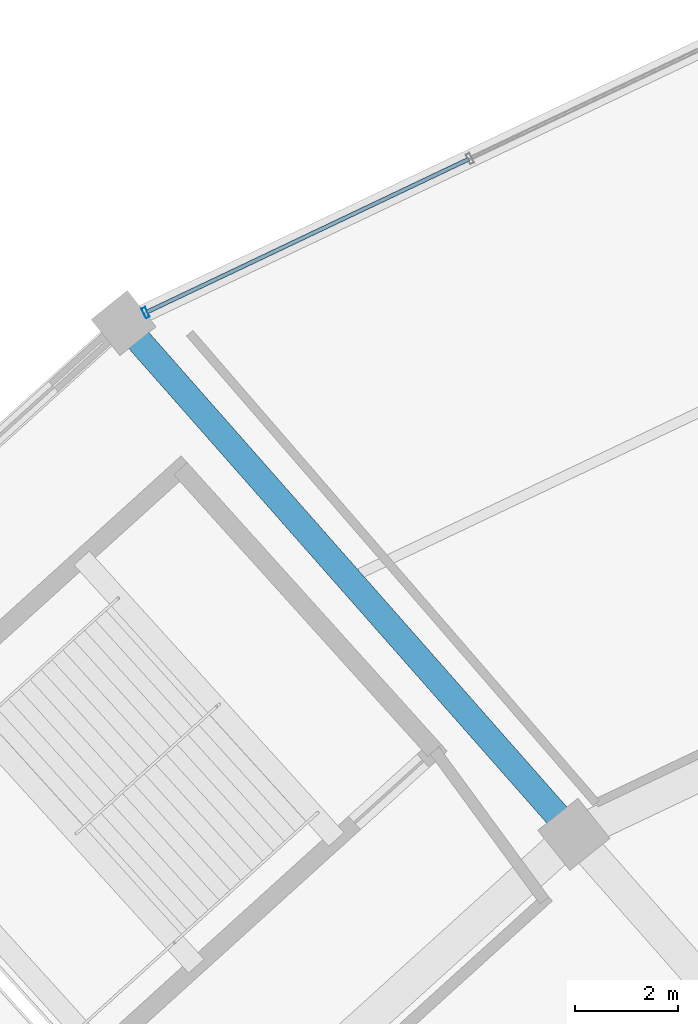
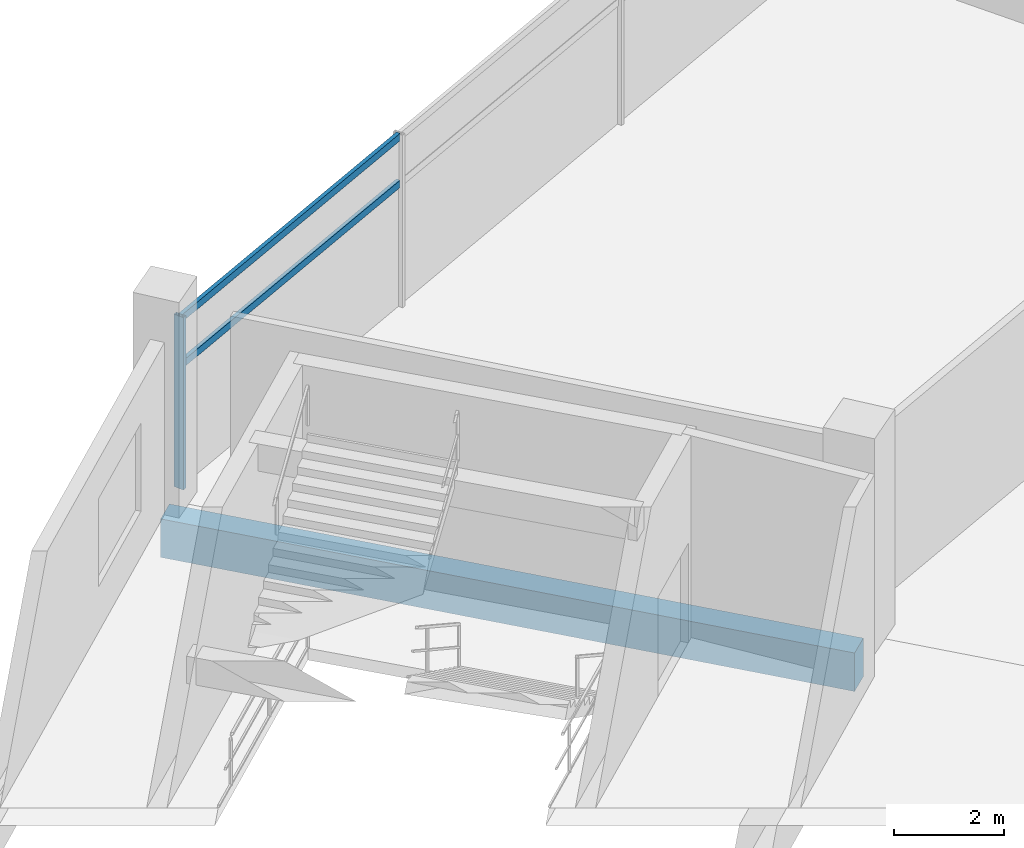
# One storey, part 83 of 171: 3 members, 1 beam, 1 element without a shape of its own.
"""IFC4 building model written with IfcOpenShell, lengths in metres."""

import ifcopenshell
import ifcopenshell.guid

model = None  # the IFC model being written
_history = None  # IfcOwnerHistory: only IFC2X3 demands one
_inside = {}  # id of a spatial element -> (the spatial element, [elements in it])
_under = {}  # id of a project, library or spatial element -> (it, [spatial elements below it])
_declared = {}  # id of a project -> (the project, [libraries it declares])
_typed = {}  # id of a type object -> (the type object, [elements of that type])
_made_of = {}  # id of a material, layer set ... -> (it, [elements and type objects made of it])


def new_model(schema):
    """Start an empty IFC model of exactly this schema.

    Asked for "IFC4X3", IfcOpenShell would pick the latest addendum, in which some entities
    have other attributes; the version numbers below select the first issue.
    IFC2X3 requires an IfcOwnerHistory on every rooted entity: one is made here for all.
    """
    global model, _history
    if schema == "IFC4X3":
        model = ifcopenshell.file(schema_version=(4, 3, 0, 0))
    else:
        model = ifcopenshell.file(schema=schema)
    _inside.clear()
    _under.clear()
    _declared.clear()
    _typed.clear()
    _made_of.clear()
    _history = None
    if model.schema == "IFC2X3":
        org = make("IfcOrganization", Name="unknown")
        user = make(
            "IfcPersonAndOrganization",
            ThePerson=make("IfcPerson", FamilyName="unknown"),
            TheOrganization=org,
        )
        app = make(
            "IfcApplication",
            ApplicationDeveloper=org,
            Version="unknown",
            ApplicationFullName="unknown",
            ApplicationIdentifier="unknown",
        )
        _history = make(
            "IfcOwnerHistory",
            OwningUser=user,
            OwningApplication=app,
            ChangeAction="ADDED",
            CreationDate=0,
        )
    return model


def make(cls, **values):
    """One entity of the class cls with the attributes given. An attribute that is None is left unset."""
    return model.create_entity(
        cls, **{name: value for name, value in values.items() if value is not None}
    )


def rooted(cls, **values):
    """An entity with a GlobalId (a new one), such as an element, a storey or a relation."""
    return make(cls, GlobalId=ifcopenshell.guid.new(), OwnerHistory=_history, **values)


def si_unit(unit_type, name, prefix=None):
    """IfcSIUnit, for example si_unit("LENGTHUNIT", "METRE", prefix="MILLI")."""
    return make("IfcSIUnit", UnitType=unit_type, Prefix=prefix, Name=name)


def assignment(units):
    """IfcUnitAssignment: the units of a project."""
    return None if units is None else make("IfcUnitAssignment", Units=units)


def point(xyz):
    """IfcCartesianPoint."""
    return None if xyz is None else make("IfcCartesianPoint", Coordinates=xyz)


def direction(xyz):
    """IfcDirection."""
    return None if xyz is None else make("IfcDirection", DirectionRatios=xyz)


def frame(location, z_axis=None, x_axis=None):
    """IfcAxis2Placement3D, a coordinate frame: its origin and axes. An axis left out is left unset."""
    return make(
        "IfcAxis2Placement3D",
        Location=point(location),
        Axis=direction(z_axis),
        RefDirection=direction(x_axis),
    )


def frame_2d(location, x_axis=None):
    """IfcAxis2Placement2D, a coordinate frame in the plane: its origin and x axis."""
    return make(
        "IfcAxis2Placement2D", Location=point(location), RefDirection=direction(x_axis)
    )


def origin():
    """The frame at (0, 0, 0) with its axes left unset."""
    return frame((0.0, 0.0, 0.0))


def origin_2d():
    """The frame at (0, 0) in the plane with its x axis left unset."""
    return frame_2d((0.0, 0.0))


def place(relative_to, where):
    """IfcLocalPlacement: puts the frame where relative to a parent placement (None: the world)."""
    return make(
        "IfcLocalPlacement", PlacementRelTo=relative_to, RelativePlacement=where
    )


def context(
    kind, dimensions, precision=None, world=None, true_north=None, identifier=None
):
    """IfcGeometricRepresentationContext, for example the 3D "Model" context."""
    return make(
        "IfcGeometricRepresentationContext",
        ContextIdentifier=identifier,
        ContextType=kind,
        CoordinateSpaceDimension=dimensions,
        Precision=precision,
        WorldCoordinateSystem=world,
        TrueNorth=true_north,
    )


def subcontext(parent, identifier, kind, view, scale=None):
    """IfcGeometricRepresentationSubContext, for example "Body" below "Model"."""
    return make(
        "IfcGeometricRepresentationSubContext",
        ContextIdentifier=identifier,
        ContextType=kind,
        ParentContext=parent,
        TargetScale=scale,
        TargetView=view,
    )


def project(units=None, contexts=None):
    """IfcProject with its units and contexts."""
    return rooted(
        "IfcProject",
        Name="project",
        RepresentationContexts=contexts,
        UnitsInContext=assignment(units),
    )


def spatial(cls, under=None, at=None, **own):
    """A site, building, storey or space (cls), placed at a placement, below another one or the project."""
    s = rooted(cls, ObjectPlacement=at, **own)
    if under is not None:
        _under.setdefault(under.id(), (under, []))[1].append(s)
    return s


def profile(cls, at=None, kind="AREA", **sizes):
    """A parametric profile (cls). Its sizes go by their IFC names, for example OverallWidth=200.0."""
    return make(cls, ProfileType=kind, Position=at, **sizes)


def rectangle(**sizes):
    """IfcRectangleProfileDef."""
    return profile("IfcRectangleProfileDef", **sizes)


def hollow_rectangle(**sizes):
    """IfcRectangleHollowProfileDef."""
    return profile("IfcRectangleHollowProfileDef", **sizes)


def extrude(swept, where, along, depth):
    """IfcExtrudedAreaSolid: the profile swept, set in the frame where, extruded along a direction by depth."""
    return make(
        "IfcExtrudedAreaSolid",
        SweptArea=swept,
        Position=where,
        ExtrudedDirection=direction(along),
        Depth=depth,
    )


def shape(context_of_items, identifier, shape_type, items):
    """IfcShapeRepresentation: the items that make up one representation, for example the "Body"."""
    return make(
        "IfcShapeRepresentation",
        ContextOfItems=context_of_items,
        RepresentationIdentifier=identifier,
        RepresentationType=shape_type,
        Items=items,
    )


def material(Name=None, Category=None):
    """IfcMaterial."""
    return make("IfcMaterial", Name=Name, Category=Category)


def layer(
    of_material, thickness, ventilated=None, Name=None, Category=None, Priority=None
):
    """IfcMaterialLayer: one layer of a wall or slab, of a material (None: an air gap)."""
    return make(
        "IfcMaterialLayer",
        Material=of_material,
        LayerThickness=thickness,
        IsVentilated=ventilated,
        Name=Name,
        Category=Category,
        Priority=Priority,
    )


def layer_set(layers, Name=None):
    """IfcMaterialLayerSet."""
    return make("IfcMaterialLayerSet", MaterialLayers=layers, LayerSetName=Name)


def material_profile(
    of_material, cross_section, Name=None, Category=None, Priority=None
):
    """IfcMaterialProfile: a cross section and its material."""
    return make(
        "IfcMaterialProfile",
        Name=Name,
        Material=of_material,
        Profile=cross_section,
        Priority=Priority,
        Category=Category,
    )


def profile_set(profiles, Name=None, composite=None):
    """IfcMaterialProfileSet."""
    return make(
        "IfcMaterialProfileSet",
        Name=Name,
        MaterialProfiles=profiles,
        CompositeProfile=composite,
    )


def made_of(thing, what):
    """Note that an element or type object is made of a material, layer set ...; save() writes the relation."""
    if what is not None:
        _made_of.setdefault(what.id(), (what, []))[1].append(thing)
    return thing


def type_object(cls, material=None, **own):
    """A type object (cls), such as IfcWallType, which elements share."""
    return made_of(rooted(cls, **own), material)


def element(
    cls,
    number,
    at=None,
    inside=None,
    cuts=None,
    type_object=None,
    material=None,
    context=None,
    identifier="Body",
    shape_type=None,
    held_by="IfcProductDefinitionShape",
    body=None,
    shapes=None,
    **own,
):
    """One element of the class cls, such as IfcWall. Its Tag is "e" and its number.

    at: its placement. inside: the storey or other place that contains it. cuts: it is an
    opening in that element (IfcRelVoidsElement). A single representation is given by context,
    identifier, shape_type and body (its items); several are given by shapes. held_by: the class
    of the entity that holds the representations. save() writes the other relations.
    """
    e = rooted(cls, Tag="e%d" % number, ObjectPlacement=at, **own)
    if body is not None:
        shapes = [shape(context, identifier, shape_type, body)]
    if shapes is not None:
        e.Representation = make(held_by, Representations=shapes)
    if inside is not None:
        _inside.setdefault(inside.id(), (inside, []))[1].append(e)
    if cuts is not None:
        rooted(
            "IfcRelVoidsElement", RelatingBuildingElement=cuts, RelatedOpeningElement=e
        )
    if type_object is not None:
        _typed.setdefault(type_object.id(), (type_object, []))[1].append(e)
    return made_of(e, material)


def aggregate(whole, parts):
    """IfcRelAggregates: a whole, such as a stair, and the parts it consists of."""
    return rooted("IfcRelAggregates", RelatingObject=whole, RelatedObjects=parts)


def save(model, path):
    """Write the relations noted so far, then the file.

    IfcRelAggregates (storeys below a building ...), IfcRelContainedInSpatialStructure (elements
    in a storey), IfcRelDefinesByType, IfcRelAssociatesMaterial and IfcRelDeclares: one each for
    every whole, place, type object, material and project.
    """
    for whole, parts in _under.values():
        aggregate(whole, parts)
    for where, things in _inside.values():
        rooted(
            "IfcRelContainedInSpatialStructure",
            RelatedElements=things,
            RelatingStructure=where,
        )
    for kind, things in _typed.values():
        rooted("IfcRelDefinesByType", RelatedObjects=things, RelatingType=kind)
    for what, things in _made_of.values():
        rooted("IfcRelAssociatesMaterial", RelatedObjects=things, RelatingMaterial=what)
    for by, libraries in _declared.values():
        rooted("IfcRelDeclares", RelatingContext=by, RelatedDefinitions=libraries)
    model.write(path)


model = new_model("IFC4")

# Units and contexts
model_context = context("Model", 3, precision=1e-05, world=origin(), true_north=direction((0.0, 1.0)))
body_context = subcontext(model_context, "Body", "Model", "MODEL_VIEW")
ifc_project = project(units=[si_unit("LENGTHUNIT", "METRE"), si_unit("AREAUNIT", "SQUARE_METRE"), si_unit("VOLUMEUNIT", "CUBIC_METRE"), si_unit("PLANEANGLEUNIT", "RADIAN"), si_unit("MASSUNIT", "GRAM", prefix="KILO")], contexts=[model_context])

# Site, building, storey
site_placement = place(None, origin())
site = spatial("IfcSite", under=ifc_project, at=site_placement, CompositionType="ELEMENT")
building_placement = place(site_placement, origin())
building = spatial("IfcBuilding", under=site, at=building_placement, Name="Kazemori Nagisa Stadium", CompositionType="ELEMENT")
storey_placement = place(building_placement, frame((0.0, 0.0, 15.639892578125)))
storey = spatial("IfcBuildingStorey", under=building, at=storey_placement, Name="L03", CompositionType="ELEMENT", Elevation=15.639892578125)

# Beam
ifc_material_1 = material(Name="Concrete C40/50 (Fc42)", Category="concrete")
ifc_material_profile_1 = material_profile(ifc_material_1, rectangle(XDim=0.5, YDim=0.85009765625, at=origin_2d()), Name="RC-BM-500x850")
ifc_profile_set_1 = profile_set([ifc_material_profile_1], Name="Concrete C40/50 (Fc42)")
beam_type = type_object("IfcBeamType", Name="Beam_BG-RC500X850", PredefinedType="BEAM", material=ifc_profile_set_1)
beam_placement = place(storey_placement, frame((69.165771484375, 163.11083984375, -0.684814453125), z_axis=(-0.661019680997, 0.750368563664, 0.0), x_axis=(-0.750368563664, -0.661019680997, 0.0)))
element("IfcBeam", 1, at=beam_placement, inside=storey, type_object=beam_type, Name="Radial girder BG-RC500X850 L03 R2-R3-11", PredefinedType="BEAM", context=body_context, shape_type="SweptSolid", body=[
    extrude(rectangle(XDim=0.5, YDim=0.85009765625, at=origin_2d()), origin(), (0.0, 0.0, 1.0), 13.2578125),
])

# Curtain wall, members
ifc_material_2 = material(Name="Anodised aluminium 6063-T5", Category="aluminium")
ifc_layer = layer(ifc_material_2, 0.2099609375, Name="Anodised aluminium 6063-T5", Category="aluminium")
ifc_layer_set = layer_set([ifc_layer], Name="Anodised aluminium 6063-T5")
curtain_wall_type = type_object("IfcCurtainWallType", Name="CW_L03R3_105", PredefinedType="USERDEFINED", material=ifc_layer_set)
curtain_wall_placement = place(storey_placement, origin())
curtain_wall = element("IfcCurtainWall", 2, at=curtain_wall_placement, inside=storey, type_object=curtain_wall_type, Name="Unitised curtain wall CW-L03R3-105 L03", ObjectType="UNITISED CURTAIN WALL", PredefinedType="USERDEFINED")
ifc_material_3 = material(Name="Aluminium 6063-T5 anodised", Category="aluminium")
ifc_material_profile_2 = material_profile(ifc_material_3, hollow_rectangle(XDim=0.080078125, YDim=0.2099609375, WallThickness=0.0048828125, at=origin_2d()), Name="ALU-MULL-80x210x5")
ifc_profile_set_2 = profile_set([ifc_material_profile_2], Name="Aluminium 6063-T5 anodised")
member_type_1 = type_object("IfcMemberType", Name="Mullion_M02", PredefinedType="MULLION", material=ifc_profile_set_2)
member_1_placement = place(storey_placement, frame((60.8310546875, 173.262939453125, 0.0), z_axis=(0.0, 0.0, 1.0), x_axis=(-0.903215892654, -0.429186499388, 0.0)))
member_1 = element("IfcMember", 3, at=member_1_placement, type_object=member_type_1, Name="Curtain wall mullion CW-L03R3-105-M4", PredefinedType="MULLION", context=body_context, shape_type="SweptSolid", body=[
    extrude(hollow_rectangle(XDim=0.080078125, YDim=0.2099609375, WallThickness=0.0048828125, at=origin_2d()), origin(), (0.0, 0.0, 1.0), 3.81005859375),
])
ifc_material_profile_3 = material_profile(ifc_material_3, hollow_rectangle(XDim=0.080078125, YDim=0.159912109375, WallThickness=0.00390625, at=origin_2d()), Name="ALU-TRAN-80x160x4")
ifc_profile_set_3 = profile_set([ifc_material_profile_3], Name="Aluminium 6063-T5 anodised")
member_type_2 = type_object("IfcMemberType", Name="Transom_T02", PredefinedType="USERDEFINED", material=ifc_profile_set_3)
member_2_placement = place(storey_placement, frame((67.124755859375, 176.25341796875, 2.705322265625), z_axis=(-0.903221322461, -0.429175072264, 0.0), x_axis=(0.429175072264, -0.903221322461, 0.0)))
member_2 = element("IfcMember", 4, at=member_2_placement, type_object=member_type_2, Name="Curtain wall transom CW-L03R3-105-T3-mid", ObjectType="TRANSOM", PredefinedType="USERDEFINED", context=body_context, shape_type="SweptSolid", body=[
    extrude(hollow_rectangle(XDim=0.080078125, YDim=0.159912109375, WallThickness=0.00390625, at=origin_2d()), origin(), (0.0, 0.0, 1.0), 6.947998046875),
])
member_3_placement = place(storey_placement, frame((67.124755859375, 176.25341796875, 3.739990234375), z_axis=(-0.903221322461, -0.429175072264, 0.0), x_axis=(0.429175072264, -0.903221322461, 0.0)))
member_3 = element("IfcMember", 5, at=member_3_placement, type_object=member_type_2, Name="Curtain wall transom CW-L03R3-105-T3-head", ObjectType="TRANSOM", PredefinedType="USERDEFINED", context=body_context, shape_type="SweptSolid", body=[
    extrude(hollow_rectangle(XDim=0.080078125, YDim=0.159912109375, WallThickness=0.00390625, at=origin_2d()), origin(), (0.0, 0.0, 1.0), 6.947998046875),
])
aggregate(curtain_wall, [member_1, member_2, member_3])

save(model, "model.ifc")
